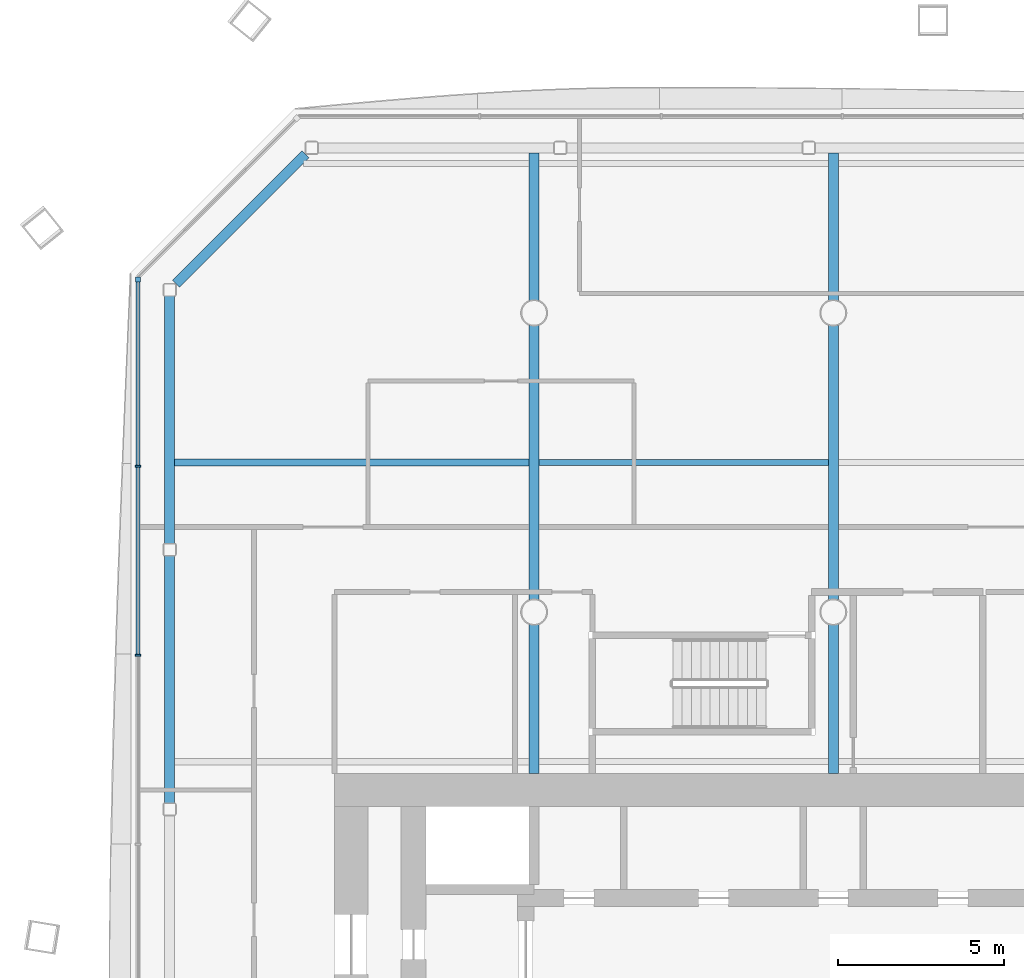
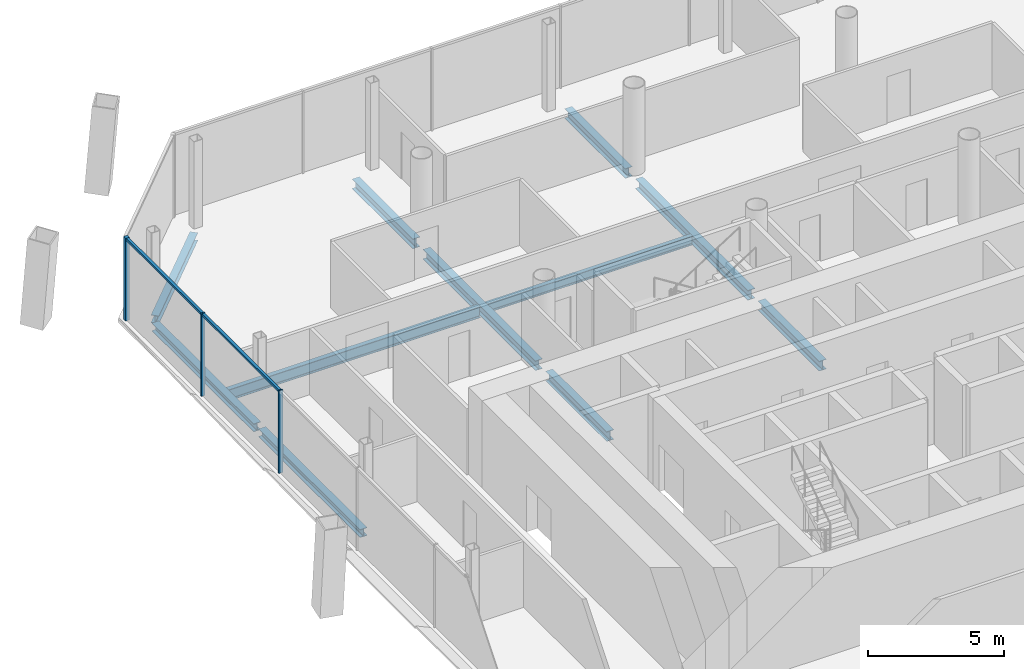
# One storey, part 7 of 19: 11 beams, 5 members, 1 element without a shape of its own.
"""IFC4 building model written with IfcOpenShell, lengths in metres."""

import ifcopenshell
import ifcopenshell.guid

model = None  # the IFC model being written
_history = None  # IfcOwnerHistory: only IFC2X3 demands one
_inside = {}  # id of a spatial element -> (the spatial element, [elements in it])
_under = {}  # id of a project, library or spatial element -> (it, [spatial elements below it])
_declared = {}  # id of a project -> (the project, [libraries it declares])
_typed = {}  # id of a type object -> (the type object, [elements of that type])
_made_of = {}  # id of a material, layer set ... -> (it, [elements and type objects made of it])


def new_model(schema):
    """Start an empty IFC model of exactly this schema.

    Asked for "IFC4X3", IfcOpenShell would pick the latest addendum, in which some entities
    have other attributes; the version numbers below select the first issue.
    IFC2X3 requires an IfcOwnerHistory on every rooted entity: one is made here for all.
    """
    global model, _history
    if schema == "IFC4X3":
        model = ifcopenshell.file(schema_version=(4, 3, 0, 0))
    else:
        model = ifcopenshell.file(schema=schema)
    _inside.clear()
    _under.clear()
    _declared.clear()
    _typed.clear()
    _made_of.clear()
    _history = None
    if model.schema == "IFC2X3":
        org = make("IfcOrganization", Name="unknown")
        user = make(
            "IfcPersonAndOrganization",
            ThePerson=make("IfcPerson", FamilyName="unknown"),
            TheOrganization=org,
        )
        app = make(
            "IfcApplication",
            ApplicationDeveloper=org,
            Version="unknown",
            ApplicationFullName="unknown",
            ApplicationIdentifier="unknown",
        )
        _history = make(
            "IfcOwnerHistory",
            OwningUser=user,
            OwningApplication=app,
            ChangeAction="ADDED",
            CreationDate=0,
        )
    return model


def make(cls, **values):
    """One entity of the class cls with the attributes given. An attribute that is None is left unset."""
    return model.create_entity(
        cls, **{name: value for name, value in values.items() if value is not None}
    )


def rooted(cls, **values):
    """An entity with a GlobalId (a new one), such as an element, a storey or a relation."""
    return make(cls, GlobalId=ifcopenshell.guid.new(), OwnerHistory=_history, **values)


def si_unit(unit_type, name, prefix=None):
    """IfcSIUnit, for example si_unit("LENGTHUNIT", "METRE", prefix="MILLI")."""
    return make("IfcSIUnit", UnitType=unit_type, Prefix=prefix, Name=name)


def assignment(units):
    """IfcUnitAssignment: the units of a project."""
    return None if units is None else make("IfcUnitAssignment", Units=units)


def point(xyz):
    """IfcCartesianPoint."""
    return None if xyz is None else make("IfcCartesianPoint", Coordinates=xyz)


def direction(xyz):
    """IfcDirection."""
    return None if xyz is None else make("IfcDirection", DirectionRatios=xyz)


def frame(location, z_axis=None, x_axis=None):
    """IfcAxis2Placement3D, a coordinate frame: its origin and axes. An axis left out is left unset."""
    return make(
        "IfcAxis2Placement3D",
        Location=point(location),
        Axis=direction(z_axis),
        RefDirection=direction(x_axis),
    )


def frame_2d(location, x_axis=None):
    """IfcAxis2Placement2D, a coordinate frame in the plane: its origin and x axis."""
    return make(
        "IfcAxis2Placement2D", Location=point(location), RefDirection=direction(x_axis)
    )


def origin():
    """The frame at (0, 0, 0) with its axes left unset."""
    return frame((0.0, 0.0, 0.0))


def origin_2d():
    """The frame at (0, 0) in the plane with its x axis left unset."""
    return frame_2d((0.0, 0.0))


def place(relative_to, where):
    """IfcLocalPlacement: puts the frame where relative to a parent placement (None: the world)."""
    return make(
        "IfcLocalPlacement", PlacementRelTo=relative_to, RelativePlacement=where
    )


def context(
    kind, dimensions, precision=None, world=None, true_north=None, identifier=None
):
    """IfcGeometricRepresentationContext, for example the 3D "Model" context."""
    return make(
        "IfcGeometricRepresentationContext",
        ContextIdentifier=identifier,
        ContextType=kind,
        CoordinateSpaceDimension=dimensions,
        Precision=precision,
        WorldCoordinateSystem=world,
        TrueNorth=true_north,
    )


def subcontext(parent, identifier, kind, view, scale=None):
    """IfcGeometricRepresentationSubContext, for example "Body" below "Model"."""
    return make(
        "IfcGeometricRepresentationSubContext",
        ContextIdentifier=identifier,
        ContextType=kind,
        ParentContext=parent,
        TargetScale=scale,
        TargetView=view,
    )


def project(units=None, contexts=None):
    """IfcProject with its units and contexts."""
    return rooted(
        "IfcProject",
        Name="project",
        RepresentationContexts=contexts,
        UnitsInContext=assignment(units),
    )


def spatial(cls, under=None, at=None, **own):
    """A site, building, storey or space (cls), placed at a placement, below another one or the project."""
    s = rooted(cls, ObjectPlacement=at, **own)
    if under is not None:
        _under.setdefault(under.id(), (under, []))[1].append(s)
    return s


def profile(cls, at=None, kind="AREA", **sizes):
    """A parametric profile (cls). Its sizes go by their IFC names, for example OverallWidth=200.0."""
    return make(cls, ProfileType=kind, Position=at, **sizes)


def rectangle(**sizes):
    """IfcRectangleProfileDef."""
    return profile("IfcRectangleProfileDef", **sizes)


def i_section(**sizes):
    """IfcIShapeProfileDef."""
    return profile("IfcIShapeProfileDef", **sizes)


def extrude(swept, where, along, depth):
    """IfcExtrudedAreaSolid: the profile swept, set in the frame where, extruded along a direction by depth."""
    return make(
        "IfcExtrudedAreaSolid",
        SweptArea=swept,
        Position=where,
        ExtrudedDirection=direction(along),
        Depth=depth,
    )


def shape(context_of_items, identifier, shape_type, items):
    """IfcShapeRepresentation: the items that make up one representation, for example the "Body"."""
    return make(
        "IfcShapeRepresentation",
        ContextOfItems=context_of_items,
        RepresentationIdentifier=identifier,
        RepresentationType=shape_type,
        Items=items,
    )


def material(Name=None, Category=None):
    """IfcMaterial."""
    return make("IfcMaterial", Name=Name, Category=Category)


def material_profile(
    of_material, cross_section, Name=None, Category=None, Priority=None
):
    """IfcMaterialProfile: a cross section and its material."""
    return make(
        "IfcMaterialProfile",
        Name=Name,
        Material=of_material,
        Profile=cross_section,
        Priority=Priority,
        Category=Category,
    )


def profile_set(profiles, Name=None, composite=None):
    """IfcMaterialProfileSet."""
    return make(
        "IfcMaterialProfileSet",
        Name=Name,
        MaterialProfiles=profiles,
        CompositeProfile=composite,
    )


def made_of(thing, what):
    """Note that an element or type object is made of a material, layer set ...; save() writes the relation."""
    if what is not None:
        _made_of.setdefault(what.id(), (what, []))[1].append(thing)
    return thing


def type_object(cls, material=None, **own):
    """A type object (cls), such as IfcWallType, which elements share."""
    return made_of(rooted(cls, **own), material)


def element(
    cls,
    number,
    at=None,
    inside=None,
    cuts=None,
    type_object=None,
    material=None,
    context=None,
    identifier="Body",
    shape_type=None,
    held_by="IfcProductDefinitionShape",
    body=None,
    shapes=None,
    **own,
):
    """One element of the class cls, such as IfcWall. Its Tag is "e" and its number.

    at: its placement. inside: the storey or other place that contains it. cuts: it is an
    opening in that element (IfcRelVoidsElement). A single representation is given by context,
    identifier, shape_type and body (its items); several are given by shapes. held_by: the class
    of the entity that holds the representations. save() writes the other relations.
    """
    e = rooted(cls, Tag="e%d" % number, ObjectPlacement=at, **own)
    if body is not None:
        shapes = [shape(context, identifier, shape_type, body)]
    if shapes is not None:
        e.Representation = make(held_by, Representations=shapes)
    if inside is not None:
        _inside.setdefault(inside.id(), (inside, []))[1].append(e)
    if cuts is not None:
        rooted(
            "IfcRelVoidsElement", RelatingBuildingElement=cuts, RelatedOpeningElement=e
        )
    if type_object is not None:
        _typed.setdefault(type_object.id(), (type_object, []))[1].append(e)
    return made_of(e, material)


def aggregate(whole, parts):
    """IfcRelAggregates: a whole, such as a stair, and the parts it consists of."""
    return rooted("IfcRelAggregates", RelatingObject=whole, RelatedObjects=parts)


def save(model, path):
    """Write the relations noted so far, then the file.

    IfcRelAggregates (storeys below a building ...), IfcRelContainedInSpatialStructure (elements
    in a storey), IfcRelDefinesByType, IfcRelAssociatesMaterial and IfcRelDeclares: one each for
    every whole, place, type object, material and project.
    """
    for whole, parts in _under.values():
        aggregate(whole, parts)
    for where, things in _inside.values():
        rooted(
            "IfcRelContainedInSpatialStructure",
            RelatedElements=things,
            RelatingStructure=where,
        )
    for kind, things in _typed.values():
        rooted("IfcRelDefinesByType", RelatedObjects=things, RelatingType=kind)
    for what, things in _made_of.values():
        rooted("IfcRelAssociatesMaterial", RelatedObjects=things, RelatingMaterial=what)
    for by, libraries in _declared.values():
        rooted("IfcRelDeclares", RelatingContext=by, RelatedDefinitions=libraries)
    model.write(path)


model = new_model("IFC4")

# Units and contexts
model_context = context("Model", 3, precision=1e-05, world=origin(), true_north=direction((0.0, 1.0)))
body_context = subcontext(model_context, "Body", "Model", "MODEL_VIEW")
ifc_project = project(units=[si_unit("LENGTHUNIT", "METRE"), si_unit("AREAUNIT", "SQUARE_METRE"), si_unit("VOLUMEUNIT", "CUBIC_METRE"), si_unit("PLANEANGLEUNIT", "RADIAN"), si_unit("MASSUNIT", "GRAM", prefix="KILO")], contexts=[model_context])

# Site, building, storey
site_placement = place(None, origin())
site = spatial("IfcSite", under=ifc_project, at=site_placement, CompositionType="ELEMENT")
building_placement = place(site_placement, origin())
building = spatial("IfcBuilding", under=site, at=building_placement, Name="Tskaro Facet Tower", CompositionType="ELEMENT")
storey_placement = place(building_placement, frame((0.0, 0.0, 101.10009765625)))
storey = spatial("IfcBuildingStorey", under=building, at=storey_placement, Name="L24", CompositionType="ELEMENT", Elevation=101.10009765625)

# Curtain wall, members
ifc_material_1 = material(Name="Bronze anodised aluminium 6063-T6", Category="aluminium")
curtain_wall_type = type_object("IfcCurtainWallType", Name="Bronze office curtain wall (FW1)", PredefinedType="NOTDEFINED", material=ifc_material_1)
curtain_wall_placement = place(storey_placement, origin())
curtain_wall = element("IfcCurtainWall", 1, at=curtain_wall_placement, inside=storey, type_object=curtain_wall_type, Name="FW1 west facet L24", PredefinedType="NOTDEFINED")
ifc_material_profile_1 = material_profile(ifc_material_1, rectangle(XDim=0.159912109375, YDim=0.159912109375, at=origin_2d()), Name="Corner post 160x160")
ifc_profile_set_1 = profile_set([ifc_material_profile_1], Name="Bronze anodised aluminium 6063-T6")
member_type_1 = type_object("IfcMemberType", Name="FW1 bronze corner post 160x160", PredefinedType="MULLION", material=ifc_profile_set_1)
member_1_placement = place(storey_placement, frame((-20.9150390625, 19.0029296875, 0.0), z_axis=(0.0, 0.0, 1.0), x_axis=(0.0, -1.0, 0.0)))
member_1 = element("IfcMember", 2, at=member_1_placement, type_object=member_type_1, Name="FW1 west corner post", PredefinedType="MULLION", context=body_context, shape_type="SweptSolid", body=[
    extrude(rectangle(XDim=0.159912109375, YDim=0.159912109375, at=origin_2d()), origin(), (0.0, 0.0, 1.0), 3.699951171875),
])
ifc_material_profile_2 = material_profile(ifc_material_1, rectangle(XDim=0.06005859375, YDim=0.159912109375, at=origin_2d()), Name="Mullion 60x160")
ifc_profile_set_2 = profile_set([ifc_material_profile_2], Name="Bronze anodised aluminium 6063-T6")
member_type_2 = type_object("IfcMemberType", Name="FW1 bronze mullion 60x160", PredefinedType="MULLION", material=ifc_profile_set_2)
member_2_placement = place(storey_placement, frame((-20.9150390625, 13.3916015625, 0.0), z_axis=(0.0, 0.0, 1.0), x_axis=(0.0, -1.0, 0.0)))
member_2 = element("IfcMember", 3, at=member_2_placement, type_object=member_type_2, Name="FW1 west mullion 1", PredefinedType="MULLION", context=body_context, shape_type="SweptSolid", body=[
    extrude(rectangle(XDim=0.06005859375, YDim=0.159912109375, at=origin_2d()), origin(), (0.0, 0.0, 1.0), 3.699951171875),
])
member_3_placement = place(storey_placement, frame((-20.9150390625, 7.7001953125, 0.0), z_axis=(0.0, 0.0, 1.0), x_axis=(0.0, -1.0, 0.0)))
member_3 = element("IfcMember", 4, at=member_3_placement, type_object=member_type_2, Name="FW1 west mullion 2", PredefinedType="MULLION", context=body_context, shape_type="SweptSolid", body=[
    extrude(rectangle(XDim=0.06005859375, YDim=0.159912109375, at=origin_2d()), origin(), (0.0, 0.0, 1.0), 3.699951171875),
])
ifc_material_profile_3 = material_profile(ifc_material_1, rectangle(XDim=0.1201171875, YDim=0.10009765625, at=origin_2d()), Name="Transom 120x100")
ifc_profile_set_3 = profile_set([ifc_material_profile_3], Name="Bronze anodised aluminium 6063-T6")
member_type_3 = type_object("IfcMemberType", Name="FW1 bronze transom 120x100", PredefinedType="USERDEFINED", material=ifc_profile_set_3)
member_4_placement = place(storey_placement, frame((-20.9150390625, 18.923095703125, 3.64990234375), z_axis=(0.0, -1.0, 0.0), x_axis=(1.0, 0.0, 0.0)))
member_4 = element("IfcMember", 5, at=member_4_placement, type_object=member_type_3, Name="FW1 west transom 1.1", ObjectType="TRANSOM", PredefinedType="USERDEFINED", context=body_context, shape_type="SweptSolid", body=[
    extrude(rectangle(XDim=0.1201171875, YDim=0.10009765625, at=origin_2d()), origin(), (0.0, 0.0, 1.0), 5.50146484375),
])
member_5_placement = place(storey_placement, frame((-20.9150390625, 13.361572265625, 3.64990234375), z_axis=(0.0, -1.0, 0.0), x_axis=(1.0, 0.0, 0.0)))
member_5 = element("IfcMember", 6, at=member_5_placement, type_object=member_type_3, Name="FW1 west transom 2.1", ObjectType="TRANSOM", PredefinedType="USERDEFINED", context=body_context, shape_type="SweptSolid", body=[
    extrude(rectangle(XDim=0.1201171875, YDim=0.10009765625, at=origin_2d()), origin(), (0.0, 0.0, 1.0), 5.63134765625),
])
aggregate(curtain_wall, [member_1, member_2, member_3, member_4, member_5])

# Beams
ifc_material_2 = material(Name="Steel S355J2", Category="steel")
ifc_material_profile_4 = material_profile(ifc_material_2, i_section(OverallWidth=0.300048828125, OverallDepth=0.360107421875, WebThickness=0.012451171875, FlangeThickness=0.0224609375, FilletRadius=0.027099609375, at=origin_2d()), Name="HE 360 B")
ifc_profile_set_4 = profile_set([ifc_material_profile_4], Name="Steel S355J2")
beam_type_1 = type_object("IfcBeamType", Name="HE 360 B ring beam", PredefinedType="BEAM", material=ifc_profile_set_4)
beam_1_placement = place(storey_placement, frame((-15.8759765625, 22.779052734375, -0.320068359375), z_axis=(-0.707106781187, -0.707106781187, 0.0), x_axis=(0.707106781187, -0.707106781187, 0.0)))
element("IfcBeam", 7, at=beam_1_placement, inside=storey, type_object=beam_type_1, Name="HE 360 B EB18-2", PredefinedType="BEAM", context=body_context, shape_type="SweptSolid", body=[
    extrude(i_section(OverallWidth=0.300048828125, OverallDepth=0.360107421875, WebThickness=0.012451171875, FlangeThickness=0.0224609375, FilletRadius=0.027099609375, at=origin_2d()), origin(), (0.0, 0.0, 1.0), 5.519775390625),
])
for number, where, z_axis, x_axis, name in (
    (8, (-19.965087890625, 18.510009765625, -0.320068359375), (0.0, -1.0, 0.0), (1.0, 0.0, 0.0), "HE 360 B EB19-2"),
    (9, (-19.965087890625, 10.698974609375, -0.320068359375), (0.0, -1.0, 0.0), (1.0, 0.0, 0.0), "HE 360 B EB20-2"),
):
    element("IfcBeam", number, at=place(storey_placement, frame(where, z_axis=z_axis, x_axis=x_axis)), inside=storey, type_object=beam_type_1, Name=name, PredefinedType="BEAM", context=body_context, shape_type="SweptSolid", body=[
        extrude(i_section(OverallWidth=0.300048828125, OverallDepth=0.360107421875, WebThickness=0.012451171875, FlangeThickness=0.0224609375, FilletRadius=0.027099609375, at=origin_2d()), origin(), (0.0, 0.0, 1.0), 7.450927734375),
    ])
ifc_material_profile_5 = material_profile(ifc_material_2, i_section(OverallWidth=0.300048828125, OverallDepth=0.43994140625, WebThickness=0.011474609375, FlangeThickness=0.02099609375, FilletRadius=0.027099609375, at=origin_2d()), Name="HE 450 A")
ifc_profile_set_5 = profile_set([ifc_material_profile_5], Name="Steel S355J2")
beam_type_2 = type_object("IfcBeamType", Name="HE 450 A girder", PredefinedType="BEAM", material=ifc_profile_set_5)
beam_2_placement = place(storey_placement, frame((-9.0, 4.14990234375, -0.360107421875), z_axis=(0.0, 1.0, 0.0), x_axis=(-1.0, 0.0, 0.0)))
element("IfcBeam", 10, at=beam_2_placement, inside=storey, type_object=beam_type_2, Name="HE 450 A GB3-3-2", PredefinedType="BEAM", context=body_context, shape_type="SweptSolid", body=[
    extrude(i_section(OverallWidth=0.300048828125, OverallDepth=0.43994140625, WebThickness=0.011474609375, FlangeThickness=0.02099609375, FilletRadius=0.027099609375, at=origin_2d()), origin(), (0.0, 0.0, 1.0), 4.4736328125),
])
beam_3_placement = place(storey_placement, frame((-9.0, 9.37646484375, -0.360107421875), z_axis=(0.0, 1.0, 0.0), x_axis=(-1.0, 0.0, 0.0)))
element("IfcBeam", 11, at=beam_3_placement, inside=storey, type_object=beam_type_2, Name="HE 450 A GB3-4-2", PredefinedType="BEAM", context=body_context, shape_type="SweptSolid", body=[
    extrude(i_section(OverallWidth=0.300048828125, OverallDepth=0.43994140625, WebThickness=0.011474609375, FlangeThickness=0.02099609375, FilletRadius=0.027099609375, at=origin_2d()), origin(), (0.0, 0.0, 1.0), 8.2470703125),
])
beam_4_placement = place(storey_placement, frame((-9.0, 18.37646484375, -0.360107421875), z_axis=(0.0, 1.0, 0.0), x_axis=(-1.0, 0.0, 0.0)))
element("IfcBeam", 12, at=beam_4_placement, inside=storey, type_object=beam_type_2, Name="HE 450 A GB3-5-2", PredefinedType="BEAM", context=body_context, shape_type="SweptSolid", body=[
    extrude(i_section(OverallWidth=0.300048828125, OverallDepth=0.43994140625, WebThickness=0.011474609375, FlangeThickness=0.02099609375, FilletRadius=0.027099609375, at=origin_2d()), origin(), (0.0, 0.0, 1.0), 4.4384765625),
])
beam_5_placement = place(storey_placement, frame((0.0, 4.14990234375, -0.360107421875), z_axis=(0.0, 1.0, 0.0), x_axis=(-1.0, 0.0, 0.0)))
element("IfcBeam", 13, at=beam_5_placement, inside=storey, type_object=beam_type_2, Name="HE 450 A GB4-3-2", PredefinedType="BEAM", context=body_context, shape_type="SweptSolid", body=[
    extrude(i_section(OverallWidth=0.300048828125, OverallDepth=0.43994140625, WebThickness=0.011474609375, FlangeThickness=0.02099609375, FilletRadius=0.027099609375, at=origin_2d()), origin(), (0.0, 0.0, 1.0), 4.4736328125),
])
beam_6_placement = place(storey_placement, frame((0.0, 9.37646484375, -0.360107421875), z_axis=(0.0, 1.0, 0.0), x_axis=(-1.0, 0.0, 0.0)))
element("IfcBeam", 14, at=beam_6_placement, inside=storey, type_object=beam_type_2, Name="HE 450 A GB4-4-2", PredefinedType="BEAM", context=body_context, shape_type="SweptSolid", body=[
    extrude(i_section(OverallWidth=0.300048828125, OverallDepth=0.43994140625, WebThickness=0.011474609375, FlangeThickness=0.02099609375, FilletRadius=0.027099609375, at=origin_2d()), origin(), (0.0, 0.0, 1.0), 8.2470703125),
])
beam_7_placement = place(storey_placement, frame((0.0, 18.37646484375, -0.360107421875), z_axis=(0.0, 1.0, 0.0), x_axis=(-1.0, 0.0, 0.0)))
element("IfcBeam", 15, at=beam_7_placement, inside=storey, type_object=beam_type_2, Name="HE 450 A GB4-5-2", PredefinedType="BEAM", context=body_context, shape_type="SweptSolid", body=[
    extrude(i_section(OverallWidth=0.300048828125, OverallDepth=0.43994140625, WebThickness=0.011474609375, FlangeThickness=0.02099609375, FilletRadius=0.027099609375, at=origin_2d()), origin(), (0.0, 0.0, 1.0), 4.4384765625),
])
ifc_material_profile_6 = material_profile(ifc_material_2, i_section(OverallWidth=0.179931640625, OverallDepth=0.39990234375, WebThickness=0.008544921875, FlangeThickness=0.013427734375, FilletRadius=0.02099609375, at=origin_2d()), Name="IPE 400")
ifc_profile_set_6 = profile_set([ifc_material_profile_6], Name="Steel S355J2")
beam_type_3 = type_object("IfcBeamType", Name="IPE 400 secondary beam", PredefinedType="BEAM", material=ifc_profile_set_6)
beam_8_placement = place(storey_placement, frame((-8.85009765625, 13.5, -0.340087890625), z_axis=(1.0, 0.0, 0.0), x_axis=(0.0, 1.0, 0.0)))
element("IfcBeam", 16, at=beam_8_placement, inside=storey, type_object=beam_type_3, Name="IPE 400 SB5a-2-2", PredefinedType="BEAM", context=body_context, shape_type="SweptSolid", body=[
    extrude(i_section(OverallWidth=0.179931640625, OverallDepth=0.39990234375, WebThickness=0.008544921875, FlangeThickness=0.013427734375, FilletRadius=0.02099609375, at=origin_2d()), origin(), (0.0, 0.0, 1.0), 8.7001953125),
])
ifc_material_profile_7 = material_profile(ifc_material_2, i_section(OverallWidth=0.199951171875, OverallDepth=0.5, WebThickness=0.01025390625, FlangeThickness=0.01611328125, FilletRadius=0.02099609375, at=origin_2d()), Name="IPE 500")
ifc_profile_set_7 = profile_set([ifc_material_profile_7], Name="Steel S355J2")
beam_type_4 = type_object("IfcBeamType", Name="IPE 500 long secondary beam", PredefinedType="BEAM", material=ifc_profile_set_7)
beam_9_placement = place(storey_placement, frame((-19.81494140625, 13.5, -0.39013671875), z_axis=(1.0, 0.0, 0.0), x_axis=(0.0, 1.0, 0.0)))
element("IfcBeam", 17, at=beam_9_placement, inside=storey, type_object=beam_type_4, Name="IPE 500 LSB5a-1-2", PredefinedType="BEAM", context=body_context, shape_type="SweptSolid", body=[
    extrude(i_section(OverallWidth=0.199951171875, OverallDepth=0.5, WebThickness=0.01025390625, FlangeThickness=0.01611328125, FilletRadius=0.02099609375, at=origin_2d()), origin(), (0.0, 0.0, 1.0), 10.6650390625),
])

save(model, "model.ifc")
